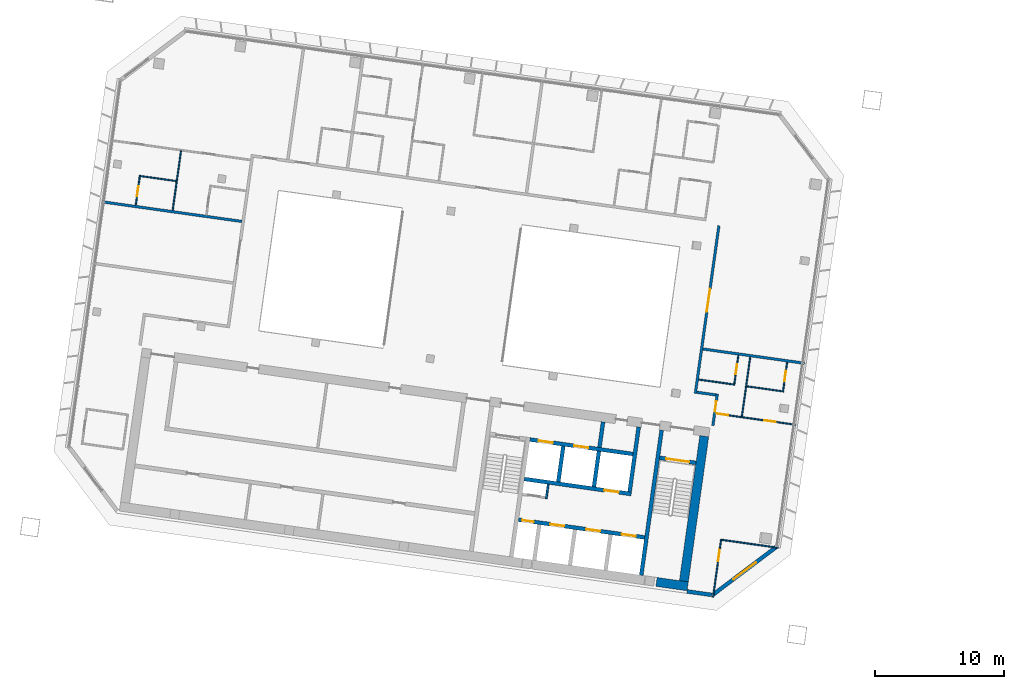
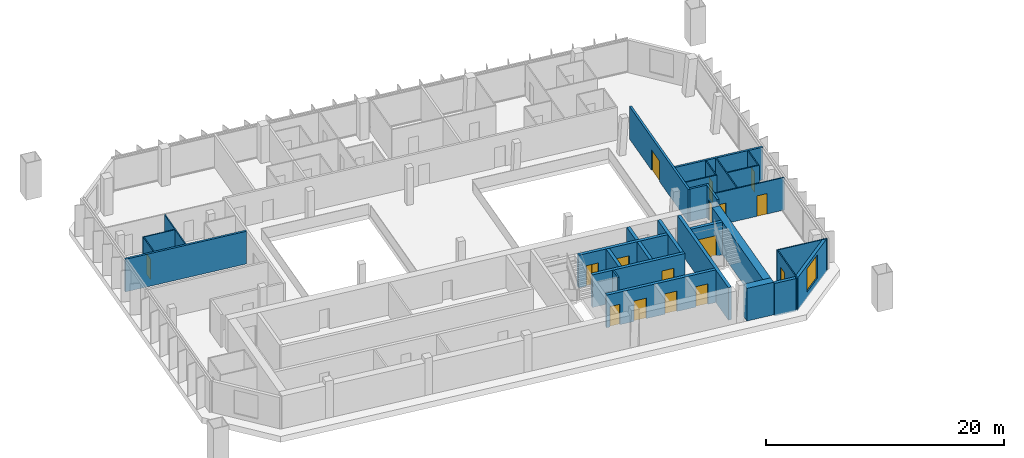
# One storey, part 14 of 22: 30 walls, 16 doors, 1 window, 17 openings.
"""IFC4 building model written with IfcOpenShell, lengths in metres."""

from ifc_helpers import new_model, si_unit, direction, frame, frame_2d, origin, place, context, subcontext, project, spatial, rectangle, extrude, material, layer, layer_set, type_object, element, fill, save


model = new_model("IFC4")

# Units and contexts
model_context = context("Model", 3, precision=1e-05, world=origin(), true_north=direction((0.0, 1.0)))
body_context = subcontext(model_context, "Body", "Model", "MODEL_VIEW")
ifc_project = project(units=[si_unit("LENGTHUNIT", "METRE"), si_unit("AREAUNIT", "SQUARE_METRE"), si_unit("VOLUMEUNIT", "CUBIC_METRE"), si_unit("PLANEANGLEUNIT", "RADIAN"), si_unit("MASSUNIT", "GRAM", prefix="KILO")], contexts=[model_context])

# Site, building, storey
site_placement = place(None, origin())
site = spatial("IfcSite", under=ifc_project, at=site_placement, CompositionType="ELEMENT")
building_placement = place(site_placement, origin())
building = spatial("IfcBuilding", under=site, at=building_placement, Name="Mirante Cascada Hotel Towers", CompositionType="ELEMENT")
storey_placement = place(building_placement, frame((0.0, 0.0, 191.6)))
storey = spatial("IfcBuildingStorey", under=building, at=storey_placement, Name="L45", CompositionType="ELEMENT", Elevation=191.6)

# Walls
ifc_material_1 = material(Name="Fire-rated plasterboard on metal studs")
ifc_layer_1 = layer(ifc_material_1, 0.2)
ifc_layer_set_1 = layer_set([ifc_layer_1], Name="Compartment wall 200 EI 120")
wall_type_1 = type_object("IfcWallType", Name="Compartment wall 200 EI 120", PredefinedType="PARTITIONING", material=ifc_layer_set_1)
wall_1_placement = place(storey_placement, frame((-36.5138, -4.518, 0.0), z_axis=(0.0, 0.0, 1.0), x_axis=(0.9902735, -0.1391343, 0.0)))
element("IfcWall", 1, at=wall_1_placement, inside=storey, type_object=wall_type_1, Name="Wall 1-L45-05", PredefinedType="PARTITIONING", context=body_context, shape_type="SweptSolid", body=[
    extrude(rectangle(XDim=1.5, YDim=0.2, at=frame_2d((0.75, 0.0))), origin(), (0.0, 0.0, 1.0), 3.35),
])
wall_2_placement = place(storey_placement, frame((-36.0406, -1.151, 0.0), z_axis=(0.0, 0.0, 1.0), x_axis=(0.9902677, -0.1391758, 0.0)))
element("IfcWall", 2, at=wall_2_placement, inside=storey, type_object=wall_type_1, Name="Wall 1-L45-09", PredefinedType="PARTITIONING", context=body_context, shape_type="SweptSolid", body=[
    extrude(rectangle(XDim=7.9691, YDim=0.2, at=frame_2d((3.9846, 0.0))), origin(), (0.0, 0.0, 1.0), 3.35),
])
wall_3_placement = place(storey_placement, frame((-82.8018, 10.3016, 0.0), z_axis=(0.0, 0.0, 1.0), x_axis=(0.990268, -0.1391733, 0.0)))
element("IfcWall", 3, at=wall_3_placement, inside=storey, type_object=wall_type_1, Name="Wall 1-L45-11", PredefinedType="PARTITIONING", context=body_context, shape_type="SweptSolid", body=[
    extrude(rectangle(XDim=11.0, YDim=0.2, at=frame_2d((5.5, 0.0))), origin(), (0.0, 0.0, 1.0), 3.35),
])

# Wall, opening, door
wall_4_placement = place(storey_placement, frame((-34.9155, -4.6416, 0.0), z_axis=(0.0, 0.0, 1.0), x_axis=(-0.1391586, -0.9902701, 0.0)))
wall_4 = element("IfcWall", 4, at=wall_4_placement, inside=storey, type_object=wall_type_1, Name="Wall 1-L45-29", PredefinedType="PARTITIONING", context=body_context, shape_type="SweptSolid", body=[
    extrude(rectangle(XDim=2.5, YDim=0.2, at=frame_2d((1.25, 0.0))), origin(), (0.0, 0.0, 1.0), 3.35),
])
opening_1_placement = place(wall_4_placement, frame((0.5833, 0.0, 0.0)))
opening_1 = element("IfcOpeningElement", 5, at=opening_1_placement, cuts=wall_4, Name="Opening D1-L45-22", PredefinedType="OPENING", context=body_context, shape_type="SweptSolid", body=[
    extrude(rectangle(XDim=0.8, YDim=2.1, at=frame_2d((0.4, 1.05))), frame((0.0, 0.1, 0.0), z_axis=(0.0, -1.0, 0.0), x_axis=(1.0, 0.0, 0.0)), (0.0, 0.0, 1.0), 0.2),
])
ifc_material_2 = material(Name="Fire-rated timber door leaf", Category="wood")
door_type_1 = type_object("IfcDoorType", Name="Bathroom door DG4 800x2100 EI 60", OperationType="SINGLE_SWING_LEFT", PredefinedType="DOOR", material=ifc_material_2)
door_1_placement = place(opening_1_placement, frame((0.8, 0.0, 0.0), z_axis=(0.0, 0.0, 1.0), x_axis=(-1.0, 0.0, 0.0)))
door_1 = element("IfcDoor", 6, at=door_1_placement, inside=storey, type_object=door_type_1, Name="Door D1-L45-22", OperationType="SINGLE_SWING_RIGHT", OverallHeight=2.1, OverallWidth=0.8, PredefinedType="DOOR", context=body_context, shape_type="SweptSolid", body=[
    extrude(rectangle(XDim=0.8, YDim=2.1, at=frame_2d((0.4, 1.05))), frame((0.0, 0.025, 0.0), z_axis=(0.0, -1.0, 0.0), x_axis=(1.0, 0.0, 0.0)), (0.0, 0.0, 1.0), 0.05),
])
fill(opening_1, door_1)

wall_5_placement = place(storey_placement, frame((-36.6268, -4.6031, 0.0), z_axis=(0.0, 0.0, 1.0), x_axis=(0.1391764, 0.9902676, 0.0)))
wall_5 = element("IfcWall", 7, at=wall_5_placement, inside=storey, type_object=wall_type_1, Name="Wall 1-L45-30", PredefinedType="PARTITIONING", context=body_context, shape_type="SweptSolid", body=[
    extrude(rectangle(XDim=13.1667, YDim=0.2, at=frame_2d((6.5834, 0.0))), origin(), (0.0, 0.0, 1.0), 3.35),
])
opening_2_placement = place(wall_5_placement, frame((6.4, 0.0, 0.0)))
opening_2 = element("IfcOpeningElement", 8, at=opening_2_placement, cuts=wall_5, Name="Opening D1-L45-23", PredefinedType="OPENING", context=body_context, shape_type="SweptSolid", body=[
    extrude(rectangle(XDim=1.8, YDim=2.1, at=frame_2d((0.9, 1.05))), frame((0.0, 0.1, 0.0), z_axis=(0.0, -1.0, 0.0), x_axis=(1.0, 0.0, 0.0)), (0.0, 0.0, 1.0), 0.2),
])
ifc_material_3 = material(Name="Fire-rated timber door leaf", Category="wood")
door_type_2 = type_object("IfcDoorType", Name="Suite double door DG2 1800x2100 EI 60", OperationType="DOUBLE_DOOR_SINGLE_SWING", PredefinedType="DOOR", material=ifc_material_3)
door_2_placement = place(opening_2_placement, origin())
door_2 = element("IfcDoor", 9, at=door_2_placement, inside=storey, type_object=door_type_2, Name="Door D1-L45-23", OperationType="DOUBLE_DOOR_SINGLE_SWING", OverallHeight=2.1, OverallWidth=1.8, PredefinedType="DOOR", context=body_context, shape_type="SweptSolid", body=[
    extrude(rectangle(XDim=0.895, YDim=2.1, at=frame_2d((0.4475, 1.05))), frame((0.0, 0.025, 0.0), z_axis=(0.0, -1.0, 0.0), x_axis=(1.0, 0.0, 0.0)), (0.0, 0.0, 1.0), 0.05),
    extrude(rectangle(XDim=0.895, YDim=2.1, at=frame_2d((1.3525, 1.05))), frame((0.0, 0.025, 0.0), z_axis=(0.0, -1.0, 0.0), x_axis=(1.0, 0.0, 0.0)), (0.0, 0.0, 1.0), 0.05),
])
fill(opening_2, door_2)

# Walls
ifc_material_4 = material(Name="Masonry block", Category="masonry")
ifc_layer_2 = layer(ifc_material_4, 0.15)
ifc_layer_set_2 = layer_set([ifc_layer_2], Name="Core room partition 150 block EI 30")
wall_type_2 = type_object("IfcWallType", Name="Core room partition 150 block EI 30", PredefinedType="PARTITIONING", material=ifc_layer_set_2)
wall_6_placement = place(storey_placement, frame((-48.2295, -12.793, 0.0), z_axis=(0.0, 0.0, 1.0), x_axis=(0.1391935, 0.9902652, 0.0)))
element("IfcWall", 10, at=wall_6_placement, inside=storey, type_object=wall_type_2, Name="Core wall partition T1 L45 2", PredefinedType="PARTITIONING", context=body_context, shape_type="SweptSolid", body=[
    extrude(rectangle(XDim=1.1251, YDim=0.15, at=frame_2d((0.5626, 0.0))), origin(), (0.0, 0.0, 1.0), 3.35),
])
ifc_material_5 = material(Name="Masonry block", Category="masonry")
ifc_layer_3 = layer(ifc_material_5, 0.3)
ifc_layer_set_3 = layer_set([ifc_layer_3], Name="Core wall 300 block EI 120")
wall_type_3 = type_object("IfcWallType", Name="Core wall 300 block EI 120", PredefinedType="PARTITIONING", material=ifc_layer_set_3)
wall_7_placement = place(storey_placement, frame((-44.0843, -8.8061, 0.0), z_axis=(0.0, 0.0, 1.0), x_axis=(0.1391951, 0.990265, 0.0)))
element("IfcWall", 11, at=wall_7_placement, inside=storey, type_object=wall_type_3, Name="Core wall partition T1 L45 1", PredefinedType="PARTITIONING", context=body_context, shape_type="SweptSolid", body=[
    extrude(rectangle(XDim=2.0001, YDim=0.3, at=frame_2d((1.0001, 0.0))), origin(), (0.0, 0.0, 1.0), 3.35),
])
ifc_material_6 = material(Name="Plasterboard on metal studs")
ifc_layer_4 = layer(ifc_material_6, 0.1)
ifc_layer_set_4 = layer_set([ifc_layer_4], Name="Partition 100")
wall_type_4 = type_object("IfcWallType", Name="Partition 100", PredefinedType="PARTITIONING", material=ifc_layer_set_4)
wall_8_placement = place(storey_placement, frame((-34.6728, -15.9858, 0.0), z_axis=(0.0, 0.0, 1.0), x_axis=(0.9902691, -0.1391656, 0.0)))
element("IfcWall", 12, at=wall_8_placement, inside=storey, type_object=wall_type_4, Name="Wall 1-L45-01", PredefinedType="PARTITIONING", context=body_context, shape_type="SweptSolid", body=[
    extrude(rectangle(XDim=4.55, YDim=0.1, at=frame_2d((2.275, 0.0))), origin(), (0.0, 0.0, 1.0), 3.35),
])

# Wall, openings, doors
wall_9_placement = place(storey_placement, frame((-28.8218, -7.0464, 0.0), z_axis=(0.0, 0.0, 1.0), x_axis=(-0.9902676, 0.1391766, 0.0)))
wall_9 = element("IfcWall", 13, at=wall_9_placement, inside=storey, type_object=wall_type_4, Name="Wall 1-L45-04", PredefinedType="PARTITIONING", context=body_context, shape_type="SweptSolid", body=[
    extrude(rectangle(XDim=6.269, YDim=0.1, at=frame_2d((3.1345, 0.0))), origin(), (0.0, 0.0, 1.0), 3.35),
])
opening_3_placement = place(wall_9_placement, frame((1.55, 0.0, 0.0)))
opening_3 = element("IfcOpeningElement", 14, at=opening_3_placement, cuts=wall_9, Name="Opening D1-L45-01", PredefinedType="OPENING", context=body_context, shape_type="SweptSolid", body=[
    extrude(rectangle(XDim=0.9, YDim=2.1, at=frame_2d((0.45, 1.05))), frame((0.0, 0.05, 0.0), z_axis=(0.0, -1.0, 0.0), x_axis=(1.0, 0.0, 0.0)), (0.0, 0.0, 1.0), 0.1),
])
opening_4_placement = place(wall_9_placement, frame((5.3018, 0.0, 0.0)))
opening_4 = element("IfcOpeningElement", 15, at=opening_4_placement, cuts=wall_9, Name="Opening D1-L45-02", PredefinedType="OPENING", context=body_context, shape_type="SweptSolid", body=[
    extrude(rectangle(XDim=0.9, YDim=2.1, at=frame_2d((0.45, 1.05))), frame((0.0, 0.05, 0.0), z_axis=(0.0, -1.0, 0.0), x_axis=(1.0, 0.0, 0.0)), (0.0, 0.0, 1.0), 0.1),
])
ifc_material_7 = material(Name="Timber door leaf", Category="wood")
door_type_3 = type_object("IfcDoorType", Name="Room door DG3 900x2100", OperationType="SINGLE_SWING_LEFT", PredefinedType="DOOR", material=ifc_material_7)
door_3_placement = place(opening_3_placement, origin())
door_3 = element("IfcDoor", 16, at=door_3_placement, inside=storey, type_object=door_type_3, Name="Door D1-L45-01", OperationType="SINGLE_SWING_LEFT", OverallHeight=2.1, OverallWidth=0.9, PredefinedType="DOOR", context=body_context, shape_type="SweptSolid", body=[
    extrude(rectangle(XDim=0.9, YDim=2.1, at=frame_2d((0.45, 1.05))), frame((0.0, 0.025, 0.0), z_axis=(0.0, -1.0, 0.0), x_axis=(1.0, 0.0, 0.0)), (0.0, 0.0, 1.0), 0.05),
])
fill(opening_3, door_3)
door_4_placement = place(opening_4_placement, origin())
door_4 = element("IfcDoor", 17, at=door_4_placement, inside=storey, type_object=door_type_3, Name="Door D1-L45-02", OperationType="SINGLE_SWING_LEFT", OverallHeight=2.1, OverallWidth=0.9, PredefinedType="DOOR", context=body_context, shape_type="SweptSolid", body=[
    extrude(rectangle(XDim=0.9, YDim=2.1, at=frame_2d((0.45, 1.05))), frame((0.0, 0.025, 0.0), z_axis=(0.0, -1.0, 0.0), x_axis=(1.0, 0.0, 0.0)), (0.0, 0.0, 1.0), 0.05),
])
fill(opening_4, door_4)

# Walls
wall_10_placement = place(storey_placement, frame((-32.627, -4.0544, 0.0), z_axis=(0.0, 0.0, 1.0), x_axis=(0.9902683, -0.1391714, 0.0)))
element("IfcWall", 18, at=wall_10_placement, inside=storey, type_object=wall_type_4, Name="Wall 1-L45-07", PredefinedType="PARTITIONING", context=body_context, shape_type="SweptSolid", body=[
    extrude(rectangle(XDim=2.9, YDim=0.1, at=frame_2d((1.45, 0.0))), origin(), (0.0, 0.0, 1.0), 3.35),
])
wall_11_placement = place(storey_placement, frame((-33.5524, -3.9243, 0.0), z_axis=(0.0, 0.0, 1.0), x_axis=(-0.9902704, 0.1391564, 0.0)))
element("IfcWall", 19, at=wall_11_placement, inside=storey, type_object=wall_type_4, Name="Wall 1-L45-08", PredefinedType="PARTITIONING", context=body_context, shape_type="SweptSolid", body=[
    extrude(rectangle(XDim=2.85, YDim=0.1, at=frame_2d((1.425, 0.0))), origin(), (0.0, 0.0, 1.0), 3.35),
])
wall_12_placement = place(storey_placement, frame((-79.8931, 12.3164, 0.0), z_axis=(0.0, 0.0, 1.0), x_axis=(0.9902683, -0.1391714, 0.0)))
element("IfcWall", 20, at=wall_12_placement, inside=storey, type_object=wall_type_4, Name="Wall 1-L45-13", PredefinedType="PARTITIONING", context=body_context, shape_type="SweptSolid", body=[
    extrude(rectangle(XDim=2.9, YDim=0.1, at=frame_2d((1.45, 0.0))), origin(), (0.0, 0.0, 1.0), 3.35),
])

# Wall, opening, door
wall_13_placement = place(storey_placement, frame((-29.4846, -2.1734, 0.0), z_axis=(0.0, 0.0, 1.0), x_axis=(-0.1391997, -0.9902643, 0.0)))
wall_13 = element("IfcWall", 21, at=wall_13_placement, inside=storey, type_object=wall_type_4, Name="Wall 1-L45-25", PredefinedType="PARTITIONING", context=body_context, shape_type="SweptSolid", body=[
    extrude(rectangle(XDim=2.25, YDim=0.1, at=frame_2d((1.125, 0.0))), origin(), (0.0, 0.0, 1.0), 3.35),
])
opening_5_placement = place(wall_13_placement, frame((0.7, 0.0, 0.0)))
opening_5 = element("IfcOpeningElement", 22, at=opening_5_placement, cuts=wall_13, Name="Opening D1-L45-19", PredefinedType="OPENING", context=body_context, shape_type="SweptSolid", body=[
    extrude(rectangle(XDim=0.8, YDim=2.1, at=frame_2d((0.4, 1.05))), frame((0.0, 0.05, 0.0), z_axis=(0.0, -1.0, 0.0), x_axis=(1.0, 0.0, 0.0)), (0.0, 0.0, 1.0), 0.1),
])
ifc_material_8 = material(Name="Timber door leaf", Category="wood")
door_type_4 = type_object("IfcDoorType", Name="Bathroom door DG4 800x2100", OperationType="SINGLE_SWING_LEFT", PredefinedType="DOOR", material=ifc_material_8)
door_5_placement = place(opening_5_placement, frame((0.8, 0.0, 0.0), z_axis=(0.0, 0.0, 1.0), x_axis=(-1.0, 0.0, 0.0)))
door_5 = element("IfcDoor", 23, at=door_5_placement, inside=storey, type_object=door_type_4, Name="Door D1-L45-19", OperationType="SINGLE_SWING_RIGHT", OverallHeight=2.1, OverallWidth=0.8, PredefinedType="DOOR", context=body_context, shape_type="SweptSolid", body=[
    extrude(rectangle(XDim=0.8, YDim=2.1, at=frame_2d((0.4, 1.05))), frame((0.0, 0.025, 0.0), z_axis=(0.0, -1.0, 0.0), x_axis=(1.0, 0.0, 0.0)), (0.0, 0.0, 1.0), 0.05),
])
fill(opening_5, door_5)

# Wall
wall_14_placement = place(storey_placement, frame((-33.0082, -6.4075, 0.0), z_axis=(0.0, 0.0, 1.0), x_axis=(0.139176, 0.9902677, 0.0)))
element("IfcWall", 24, at=wall_14_placement, inside=storey, type_object=wall_type_4, Name="Wall 1-L45-26", PredefinedType="PARTITIONING", context=body_context, shape_type="SweptSolid", body=[
    extrude(rectangle(XDim=4.6833, YDim=0.1, at=frame_2d((2.3416, 0.0))), origin(), (0.0, 0.0, 1.0), 3.35),
])

# Wall, opening, door
wall_15_placement = place(storey_placement, frame((-34.6303, -16.0422, 0.0), z_axis=(0.0, 0.0, 1.0), x_axis=(-0.1391684, -0.9902687, 0.0)))
wall_15 = element("IfcWall", 25, at=wall_15_placement, inside=storey, type_object=wall_type_4, Name="Wall 1-L45-27", PredefinedType="PARTITIONING", context=body_context, shape_type="SweptSolid", body=[
    extrude(rectangle(XDim=4.45, YDim=0.1, at=frame_2d((2.225, 0.0))), origin(), (0.0, 0.0, 1.0), 3.35),
])
opening_6_placement = place(wall_15_placement, frame((0.75, 0.0, 0.0)))
opening_6 = element("IfcOpeningElement", 26, at=opening_6_placement, cuts=wall_15, Name="Opening D1-L45-20", PredefinedType="OPENING", context=body_context, shape_type="SweptSolid", body=[
    extrude(rectangle(XDim=0.9, YDim=2.1, at=frame_2d((0.45, 1.05))), frame((0.0, 0.05, 0.0), z_axis=(0.0, -1.0, 0.0), x_axis=(1.0, 0.0, 0.0)), (0.0, 0.0, 1.0), 0.1),
])
door_6_placement = place(opening_6_placement, origin())
door_6 = element("IfcDoor", 27, at=door_6_placement, inside=storey, type_object=door_type_3, Name="Door D1-L45-20", OperationType="SINGLE_SWING_LEFT", OverallHeight=2.1, OverallWidth=0.9, PredefinedType="DOOR", context=body_context, shape_type="SweptSolid", body=[
    extrude(rectangle(XDim=0.9, YDim=2.1, at=frame_2d((0.45, 1.05))), frame((0.0, 0.025, 0.0), z_axis=(0.0, -1.0, 0.0), x_axis=(1.0, 0.0, 0.0)), (0.0, 0.0, 1.0), 0.05),
])
fill(opening_6, door_6)

wall_16_placement = place(storey_placement, frame((-33.5949, -3.8679, 0.0), z_axis=(0.0, 0.0, 1.0), x_axis=(0.1391561, 0.9902705, 0.0)))
wall_16 = element("IfcWall", 28, at=wall_16_placement, inside=storey, type_object=wall_type_4, Name="Wall 1-L45-28", PredefinedType="PARTITIONING", context=body_context, shape_type="SweptSolid", body=[
    extrude(rectangle(XDim=2.25, YDim=0.1, at=frame_2d((1.125, 0.0))), origin(), (0.0, 0.0, 1.0), 3.35),
])
opening_7_placement = place(wall_16_placement, frame((0.75, 0.0, 0.0)))
opening_7 = element("IfcOpeningElement", 29, at=opening_7_placement, cuts=wall_16, Name="Opening D1-L45-21", PredefinedType="OPENING", context=body_context, shape_type="SweptSolid", body=[
    extrude(rectangle(XDim=0.8, YDim=2.1, at=frame_2d((0.4, 1.05))), frame((0.0, 0.05, 0.0), z_axis=(0.0, -1.0, 0.0), x_axis=(1.0, 0.0, 0.0)), (0.0, 0.0, 1.0), 0.1),
])
door_7_placement = place(opening_7_placement, origin())
door_7 = element("IfcDoor", 30, at=door_7_placement, inside=storey, type_object=door_type_4, Name="Door D1-L45-21", OperationType="SINGLE_SWING_LEFT", OverallHeight=2.1, OverallWidth=0.8, PredefinedType="DOOR", context=body_context, shape_type="SweptSolid", body=[
    extrude(rectangle(XDim=0.8, YDim=2.1, at=frame_2d((0.4, 1.05))), frame((0.0, 0.025, 0.0), z_axis=(0.0, -1.0, 0.0), x_axis=(1.0, 0.0, 0.0)), (0.0, 0.0, 1.0), 0.05),
])
fill(opening_7, door_7)

# Wall
wall_17_placement = place(storey_placement, frame((-76.6401, 14.266, 0.0), z_axis=(0.0, 0.0, 1.0), x_axis=(-0.139173, -0.9902681, 0.0)))
element("IfcWall", 31, at=wall_17_placement, inside=storey, type_object=wall_type_4, Name="Wall 1-L45-49", PredefinedType="PARTITIONING", context=body_context, shape_type="SweptSolid", body=[
    extrude(rectangle(XDim=4.6834, YDim=0.1, at=frame_2d((2.3417, 0.0))), origin(), (0.0, 0.0, 1.0), 3.35),
])

# Wall, opening, door
wall_18_placement = place(storey_placement, frame((-80.1637, 10.0318, 0.0), z_axis=(0.0, 0.0, 1.0), x_axis=(0.1391997, 0.9902643, 0.0)))
wall_18 = element("IfcWall", 32, at=wall_18_placement, inside=storey, type_object=wall_type_4, Name="Wall 1-L45-52", PredefinedType="PARTITIONING", context=body_context, shape_type="SweptSolid", body=[
    extrude(rectangle(XDim=2.25, YDim=0.1, at=frame_2d((1.125, 0.0))), origin(), (0.0, 0.0, 1.0), 3.35),
])
opening_8_placement = place(wall_18_placement, frame((0.7, 0.0, 0.0)))
opening_8 = element("IfcOpeningElement", 33, at=opening_8_placement, cuts=wall_18, Name="Opening D1-L45-30", PredefinedType="OPENING", context=body_context, shape_type="SweptSolid", body=[
    extrude(rectangle(XDim=0.8, YDim=2.1, at=frame_2d((0.4, 1.05))), frame((0.0, 0.05, 0.0), z_axis=(0.0, -1.0, 0.0), x_axis=(1.0, 0.0, 0.0)), (0.0, 0.0, 1.0), 0.1),
])
door_8_placement = place(opening_8_placement, frame((0.8, 0.0, 0.0), z_axis=(0.0, 0.0, 1.0), x_axis=(-1.0, 0.0, 0.0)))
door_8 = element("IfcDoor", 34, at=door_8_placement, inside=storey, type_object=door_type_4, Name="Door D1-L45-30", OperationType="SINGLE_SWING_RIGHT", OverallHeight=2.1, OverallWidth=0.8, PredefinedType="DOOR", context=body_context, shape_type="SweptSolid", body=[
    extrude(rectangle(XDim=0.8, YDim=2.1, at=frame_2d((0.4, 1.05))), frame((0.0, 0.025, 0.0), z_axis=(0.0, -1.0, 0.0), x_axis=(1.0, 0.0, 0.0)), (0.0, 0.0, 1.0), 0.05),
])
fill(opening_8, door_8)

# Wall
ifc_material_9 = material(Name="Precast concrete C40/50", Category="concrete")
ifc_layer_5 = layer(ifc_material_9, 0.3)
ifc_layer_set_5 = layer_set([ifc_layer_5], Name="Precast concrete C40/50 cladding wall 300")
wall_type_5 = type_object("IfcWallType", Name="Precast concrete C40/50 cladding wall 300", PredefinedType="STANDARD", material=ifc_layer_set_5)
wall_19_placement = place(storey_placement, frame((-35.3517, -20.2831, 0.0), z_axis=(0.0, 0.0, 1.0), x_axis=(-0.9902668, 0.1391824, 0.0)))
element("IfcWall", 35, at=wall_19_placement, inside=storey, type_object=wall_type_5, Name="Rear cladding wall T1 L45 1", PredefinedType="STANDARD", context=body_context, shape_type="SweptSolid", body=[
    extrude(rectangle(XDim=1.9449, YDim=0.3, at=frame_2d((0.9724, 0.0))), origin(), (0.0, 0.0, 1.0), 3.35),
])

# Wall, opening, window
wall_20_placement = place(storey_placement, frame((-30.3565, -16.5739, 0.0), z_axis=(0.0, 0.0, 1.0), x_axis=(-0.7986362, -0.6018141, 0.0)))
wall_20 = element("IfcWall", 36, at=wall_20_placement, inside=storey, type_object=wall_type_5, Name="Corner cladding wall T1 L45 inner rear", PredefinedType="STANDARD", context=body_context, shape_type="SweptSolid", body=[
    extrude(rectangle(XDim=6.1157, YDim=0.3, at=frame_2d((3.0578, 0.0))), origin(), (0.0, 0.0, 1.0), 3.35),
])
opening_9_placement = place(wall_20_placement, frame((1.9578, 0.0, 0.6)))
opening_9 = element("IfcOpeningElement", 37, at=opening_9_placement, cuts=wall_20, Name="Opening W1-45-04", PredefinedType="OPENING", context=body_context, shape_type="SweptSolid", body=[
    extrude(rectangle(XDim=2.2, YDim=2.4, at=frame_2d((1.1, 1.2))), frame((0.0, 0.15, 0.0), z_axis=(0.0, -1.0, 0.0), x_axis=(1.0, 0.0, 0.0)), (0.0, 0.0, 1.0), 0.3),
])
ifc_material_10 = material(Name="Aluminium frame with clear double glazing", Category="aluminium")
window_type = type_object("IfcWindowType", Name="Corner suite window 2200x2400", PartitioningType="DOUBLE_PANEL_VERTICAL", PredefinedType="WINDOW", material=ifc_material_10)
window_placement = place(opening_9_placement, origin())
window = element("IfcWindow", 38, at=window_placement, inside=storey, type_object=window_type, Name="Window W1-45-04", OverallHeight=2.4, OverallWidth=2.2, PartitioningType="SINGLE_PANEL", PredefinedType="WINDOW", context=body_context, shape_type="SweptSolid", body=[
    extrude(rectangle(XDim=2.2, YDim=2.4, at=frame_2d((1.1, 1.2))), frame((0.0, 0.03, 0.0), z_axis=(0.0, -1.0, 0.0), x_axis=(1.0, 0.0, 0.0)), (0.0, 0.0, 1.0), 0.06),
])
fill(opening_9, window)

# Wall
ifc_material_11 = material(Name="Concrete C50/60", Category="concrete")
ifc_layer_6 = layer(ifc_material_11, 0.3)
ifc_layer_set_6 = layer_set([ifc_layer_6], Name="RC core wall 300 C50/60")
wall_type_6 = type_object("IfcWallType", Name="RC core wall 300 C50/60", PredefinedType="SHEAR", material=ifc_layer_set_6)
wall_21_placement = place(storey_placement, frame((-40.8373, -18.7548, 0.0), z_axis=(0.0, 0.0, 1.0), x_axis=(0.1391749, 0.9902678, 0.0)))
element("IfcWall", 39, at=wall_21_placement, inside=storey, type_object=wall_type_6, Name="Core wall T1:L45:5", PredefinedType="SHEAR", context=body_context, shape_type="SweptSolid", body=[
    extrude(rectangle(XDim=11.4, YDim=0.3, at=frame_2d((5.7, 0.0))), origin(), (0.0, 0.0, 1.0), 3.35),
])

# Wall, opening, door
wall_22_placement = place(storey_placement, frame((-36.5791, -10.0123, 0.0), z_axis=(0.0, 0.0, 1.0), x_axis=(-0.9902704, 0.1391564, 0.0)))
wall_22 = element("IfcWall", 40, at=wall_22_placement, inside=storey, type_object=wall_type_6, Name="Core wall T1:L45:8", PredefinedType="SHEAR", context=body_context, shape_type="SweptSolid", body=[
    extrude(rectangle(XDim=2.85, YDim=0.3, at=frame_2d((1.425, 0.0))), origin(), (0.0, 0.0, 1.0), 3.35),
])
opening_10_placement = place(wall_22_placement, frame((0.525, 0.0, 0.0)))
opening_10 = element("IfcOpeningElement", 41, at=opening_10_placement, cuts=wall_22, Name="Opening D1-45-C07", PredefinedType="OPENING", context=body_context, shape_type="SweptSolid", body=[
    extrude(rectangle(XDim=1.8, YDim=2.1, at=frame_2d((0.9, 1.05))), frame((0.0, 0.15, 0.0), z_axis=(0.0, -1.0, 0.0), x_axis=(1.0, 0.0, 0.0)), (0.0, 0.0, 1.0), 0.3),
])
ifc_material_12 = material(Name="Hollow metal fire door leaf")
door_type_5 = type_object("IfcDoorType", Name="Double fire door 1800x2100 FD60", OperationType="DOUBLE_DOOR_SINGLE_SWING", PredefinedType="DOOR", material=ifc_material_12)
door_9_placement = place(opening_10_placement, origin())
door_9 = element("IfcDoor", 42, at=door_9_placement, inside=storey, type_object=door_type_5, Name="Stair door T1 L45 7", OperationType="DOUBLE_DOOR_SINGLE_SWING", OverallHeight=2.1, OverallWidth=1.8, PredefinedType="DOOR", context=body_context, shape_type="SweptSolid", body=[
    extrude(rectangle(XDim=0.895, YDim=2.1, at=frame_2d((0.4475, 1.05))), frame((0.0, 0.025, 0.0), z_axis=(0.0, -1.0, 0.0), x_axis=(1.0, 0.0, 0.0)), (0.0, 0.0, 1.0), 0.05),
    extrude(rectangle(XDim=0.895, YDim=2.1, at=frame_2d((1.3525, 1.05))), frame((0.0, 0.025, 0.0), z_axis=(0.0, -1.0, 0.0), x_axis=(1.0, 0.0, 0.0)), (0.0, 0.0, 1.0), 0.05),
])
fill(opening_10, door_9)

# Wall, openings, doors
wall_23_placement = place(storey_placement, frame((-40.5753, -15.8126, 0.0), z_axis=(0.0, 0.0, 1.0), x_axis=(-0.9902682, 0.1391725, 0.0)))
wall_23 = element("IfcWall", 43, at=wall_23_placement, inside=storey, type_object=wall_type_6, Name="Core wall T1:L45:10", PredefinedType="SHEAR", context=body_context, shape_type="SweptSolid", body=[
    extrude(rectangle(XDim=9.8999, YDim=0.3, at=frame_2d((4.95, 0.0))), origin(), (0.0, 0.0, 1.0), 3.35),
])
opening_11_placement = place(wall_23_placement, frame((0.7, 0.0, 0.0)))
opening_11 = element("IfcOpeningElement", 44, at=opening_11_placement, cuts=wall_23, Name="Opening LD", PredefinedType="OPENING", context=body_context, shape_type="SweptSolid", body=[
    extrude(rectangle(XDim=1.1, YDim=2.1, at=frame_2d((0.55, 1.05))), frame((0.0, 0.15, 0.0), z_axis=(0.0, -1.0, 0.0), x_axis=(1.0, 0.0, 0.0)), (0.0, 0.0, 1.0), 0.3),
])
opening_12_placement = place(wall_23_placement, frame((3.5, 0.0, 0.0)))
opening_12 = element("IfcOpeningElement", 45, at=opening_12_placement, cuts=wall_23, Name="Opening LD", PredefinedType="OPENING", context=body_context, shape_type="SweptSolid", body=[
    extrude(rectangle(XDim=1.1, YDim=2.1, at=frame_2d((0.55, 1.05))), frame((0.0, 0.15, 0.0), z_axis=(0.0, -1.0, 0.0), x_axis=(1.0, 0.0, 0.0)), (0.0, 0.0, 1.0), 0.3),
])
opening_13_placement = place(wall_23_placement, frame((6.3, 0.0, 0.0)))
opening_13 = element("IfcOpeningElement", 46, at=opening_13_placement, cuts=wall_23, Name="Opening LD", PredefinedType="OPENING", context=body_context, shape_type="SweptSolid", body=[
    extrude(rectangle(XDim=1.1, YDim=2.1, at=frame_2d((0.55, 1.05))), frame((0.0, 0.15, 0.0), z_axis=(0.0, -1.0, 0.0), x_axis=(1.0, 0.0, 0.0)), (0.0, 0.0, 1.0), 0.3),
])
opening_14_placement = place(wall_23_placement, frame((8.7, 0.0, 0.0)))
opening_14 = element("IfcOpeningElement", 47, at=opening_14_placement, cuts=wall_23, Name="Opening D1-45-C14", PredefinedType="OPENING", context=body_context, shape_type="SweptSolid", body=[
    extrude(rectangle(XDim=0.9, YDim=2.1, at=frame_2d((0.45, 1.05))), frame((0.0, 0.15, 0.0), z_axis=(0.0, -1.0, 0.0), x_axis=(1.0, 0.0, 0.0)), (0.0, 0.0, 1.0), 0.3),
])
ifc_material_13 = material(Name="Hollow metal fire door leaf")
door_type_6 = type_object("IfcDoorType", Name="Fire door 900x2100 FD60", OperationType="NOTDEFINED", PredefinedType="DOOR", material=ifc_material_13)
door_10_placement = place(opening_14_placement, origin())
door_10 = element("IfcDoor", 48, at=door_10_placement, inside=storey, type_object=door_type_6, Name="Riser door T1 L45 14", OperationType="SINGLE_SWING_LEFT", OverallHeight=2.1, OverallWidth=0.9, PredefinedType="DOOR", context=body_context, shape_type="SweptSolid", body=[
    extrude(rectangle(XDim=0.9, YDim=2.1, at=frame_2d((0.45, 1.05))), frame((0.0, 0.025, 0.0), z_axis=(0.0, -1.0, 0.0), x_axis=(1.0, 0.0, 0.0)), (0.0, 0.0, 1.0), 0.05),
])
fill(opening_14, door_10)
ifc_material_14 = material(Name="Stainless steel", Category="steel")
door_type_7 = type_object("IfcDoorType", Name="Lift landing door 1100x2100 EI 120", OperationType="DOUBLE_DOOR_SLIDING", PredefinedType="DOOR", material=ifc_material_14)
door_11_placement = place(opening_11_placement, origin())
door_11 = element("IfcDoor", 49, at=door_11_placement, inside=storey, type_object=door_type_7, Name="Lift landing door HR1-1 L45", OperationType="DOUBLE_DOOR_SLIDING", OverallHeight=2.1, OverallWidth=1.1, PredefinedType="DOOR", context=body_context, shape_type="SweptSolid", body=[
    extrude(rectangle(XDim=0.545, YDim=2.1, at=frame_2d((0.2725, 1.05))), frame((0.0, 0.025, 0.0), z_axis=(0.0, -1.0, 0.0), x_axis=(1.0, 0.0, 0.0)), (0.0, 0.0, 1.0), 0.05),
    extrude(rectangle(XDim=0.545, YDim=2.1, at=frame_2d((0.8275, 1.05))), frame((0.0, 0.025, 0.0), z_axis=(0.0, -1.0, 0.0), x_axis=(1.0, 0.0, 0.0)), (0.0, 0.0, 1.0), 0.05),
])
fill(opening_11, door_11)
door_12_placement = place(opening_12_placement, origin())
door_12 = element("IfcDoor", 50, at=door_12_placement, inside=storey, type_object=door_type_7, Name="Lift landing door HR1-2 L45", OperationType="DOUBLE_DOOR_SLIDING", OverallHeight=2.1, OverallWidth=1.1, PredefinedType="DOOR", context=body_context, shape_type="SweptSolid", body=[
    extrude(rectangle(XDim=0.545, YDim=2.1, at=frame_2d((0.2725, 1.05))), frame((0.0, 0.025, 0.0), z_axis=(0.0, -1.0, 0.0), x_axis=(1.0, 0.0, 0.0)), (0.0, 0.0, 1.0), 0.05),
    extrude(rectangle(XDim=0.545, YDim=2.1, at=frame_2d((0.8275, 1.05))), frame((0.0, 0.025, 0.0), z_axis=(0.0, -1.0, 0.0), x_axis=(1.0, 0.0, 0.0)), (0.0, 0.0, 1.0), 0.05),
])
fill(opening_12, door_12)
door_13_placement = place(opening_13_placement, origin())
door_13 = element("IfcDoor", 51, at=door_13_placement, inside=storey, type_object=door_type_7, Name="Lift landing door HR1-3 L45", OperationType="DOUBLE_DOOR_SLIDING", OverallHeight=2.1, OverallWidth=1.1, PredefinedType="DOOR", context=body_context, shape_type="SweptSolid", body=[
    extrude(rectangle(XDim=0.545, YDim=2.1, at=frame_2d((0.2725, 1.05))), frame((0.0, 0.025, 0.0), z_axis=(0.0, -1.0, 0.0), x_axis=(1.0, 0.0, 0.0)), (0.0, 0.0, 1.0), 0.05),
    extrude(rectangle(XDim=0.545, YDim=2.1, at=frame_2d((0.8275, 1.05))), frame((0.0, 0.025, 0.0), z_axis=(0.0, -1.0, 0.0), x_axis=(1.0, 0.0, 0.0)), (0.0, 0.0, 1.0), 0.05),
])
fill(opening_13, door_13)

# Wall, opening, door
wall_24_placement = place(storey_placement, frame((-41.6153, -12.435, 0.0), z_axis=(0.0, 0.0, 1.0), x_axis=(-0.9902691, 0.139166, 0.0)))
wall_24 = element("IfcWall", 52, at=wall_24_placement, inside=storey, type_object=wall_type_6, Name="Core wall T1:L45:11", PredefinedType="SHEAR", context=body_context, shape_type="SweptSolid", body=[
    extrude(rectangle(XDim=8.4, YDim=0.3, at=frame_2d((4.2, 0.0))), origin(), (0.0, 0.0, 1.0), 3.35),
])
opening_15_placement = place(wall_24_placement, frame((1.0, 0.0, 0.0)))
opening_15 = element("IfcOpeningElement", 53, at=opening_15_placement, cuts=wall_24, Name="Opening LD", PredefinedType="OPENING", context=body_context, shape_type="SweptSolid", body=[
    extrude(rectangle(XDim=1.1, YDim=2.1, at=frame_2d((0.55, 1.05))), frame((0.0, 0.15, 0.0), z_axis=(0.0, -1.0, 0.0), x_axis=(1.0, 0.0, 0.0)), (0.0, 0.0, 1.0), 0.3),
])
door_14_placement = place(opening_15_placement, origin())
door_14 = element("IfcDoor", 54, at=door_14_placement, inside=storey, type_object=door_type_7, Name="Lift landing door HR1-4 L45", OperationType="DOUBLE_DOOR_SLIDING", OverallHeight=2.1, OverallWidth=1.1, PredefinedType="DOOR", context=body_context, shape_type="SweptSolid", body=[
    extrude(rectangle(XDim=0.545, YDim=2.1, at=frame_2d((0.2725, 1.05))), frame((0.0, 0.025, 0.0), z_axis=(0.0, -1.0, 0.0), x_axis=(1.0, 0.0, 0.0)), (0.0, 0.0, 1.0), 0.05),
    extrude(rectangle(XDim=0.545, YDim=2.1, at=frame_2d((0.8275, 1.05))), frame((0.0, 0.025, 0.0), z_axis=(0.0, -1.0, 0.0), x_axis=(1.0, 0.0, 0.0)), (0.0, 0.0, 1.0), 0.05),
])
fill(opening_15, door_14)

# Wall, openings, doors
wall_25_placement = place(storey_placement, frame((-41.481, -9.3234, 0.0), z_axis=(0.0, 0.0, 1.0), x_axis=(-0.9902679, 0.1391741, 0.0)))
wall_25 = element("IfcWall", 55, at=wall_25_placement, inside=storey, type_object=wall_type_6, Name="Core wall T1:L45:12", PredefinedType="SHEAR", context=body_context, shape_type="SweptSolid", body=[
    extrude(rectangle(XDim=8.0999, YDim=0.3, at=frame_2d((4.05, 0.0))), origin(), (0.0, 0.0, 1.0), 3.35),
])
opening_16_placement = place(wall_25_placement, frame((3.5, 0.0, 0.0)))
opening_16 = element("IfcOpeningElement", 56, at=opening_16_placement, cuts=wall_25, Name="Opening LD", PredefinedType="OPENING", context=body_context, shape_type="SweptSolid", body=[
    extrude(rectangle(XDim=1.1, YDim=2.1, at=frame_2d((0.55, 1.05))), frame((0.0, 0.15, 0.0), z_axis=(0.0, -1.0, 0.0), x_axis=(1.0, 0.0, 0.0)), (0.0, 0.0, 1.0), 0.3),
])
opening_17_placement = place(wall_25_placement, frame((6.3, 0.0, 0.0)))
opening_17 = element("IfcOpeningElement", 57, at=opening_17_placement, cuts=wall_25, Name="Opening LD", PredefinedType="OPENING", context=body_context, shape_type="SweptSolid", body=[
    extrude(rectangle(XDim=1.1, YDim=2.1, at=frame_2d((0.55, 1.05))), frame((0.0, 0.15, 0.0), z_axis=(0.0, -1.0, 0.0), x_axis=(1.0, 0.0, 0.0)), (0.0, 0.0, 1.0), 0.3),
])
door_15_placement = place(opening_16_placement, origin())
door_15 = element("IfcDoor", 58, at=door_15_placement, inside=storey, type_object=door_type_7, Name="Lift landing door FF1 L45", OperationType="DOUBLE_DOOR_SLIDING", OverallHeight=2.1, OverallWidth=1.1, PredefinedType="DOOR", context=body_context, shape_type="SweptSolid", body=[
    extrude(rectangle(XDim=0.545, YDim=2.1, at=frame_2d((0.2725, 1.05))), frame((0.0, 0.025, 0.0), z_axis=(0.0, -1.0, 0.0), x_axis=(1.0, 0.0, 0.0)), (0.0, 0.0, 1.0), 0.05),
    extrude(rectangle(XDim=0.545, YDim=2.1, at=frame_2d((0.8275, 1.05))), frame((0.0, 0.025, 0.0), z_axis=(0.0, -1.0, 0.0), x_axis=(1.0, 0.0, 0.0)), (0.0, 0.0, 1.0), 0.05),
])
fill(opening_16, door_15)
door_16_placement = place(opening_17_placement, origin())
door_16 = element("IfcDoor", 59, at=door_16_placement, inside=storey, type_object=door_type_7, Name="Lift landing door FF2 L45", OperationType="DOUBLE_DOOR_SLIDING", OverallHeight=2.1, OverallWidth=1.1, PredefinedType="DOOR", context=body_context, shape_type="SweptSolid", body=[
    extrude(rectangle(XDim=0.545, YDim=2.1, at=frame_2d((0.2725, 1.05))), frame((0.0, 0.025, 0.0), z_axis=(0.0, -1.0, 0.0), x_axis=(1.0, 0.0, 0.0)), (0.0, 0.0, 1.0), 0.05),
    extrude(rectangle(XDim=0.545, YDim=2.1, at=frame_2d((0.8275, 1.05))), frame((0.0, 0.025, 0.0), z_axis=(0.0, -1.0, 0.0), x_axis=(1.0, 0.0, 0.0)), (0.0, 0.0, 1.0), 0.05),
])
fill(opening_17, door_16)

# Walls
for number, where, z_axis, x_axis, name in (
    (60, (-44.5157, -11.8759, 0.0), (0.0, 0.0, 1.0), (0.139181, 0.990267, 0.0), "Core wall T1:L45:16"),
    (61, (-47.2885, -11.4862, 0.0), (0.0, 0.0, 1.0), (0.139181, 0.990267, 0.0), "Core wall T1:L45:17"),
):
    element("IfcWall", number, at=place(storey_placement, frame(where, z_axis=z_axis, x_axis=x_axis)), inside=storey, type_object=wall_type_6, Name=name, PredefinedType="SHEAR", context=body_context, shape_type="SweptSolid", body=[
        extrude(rectangle(XDim=2.8, YDim=0.3, at=frame_2d((1.4, 0.0))), origin(), (0.0, 0.0, 1.0), 3.35),
    ])
wall_26_placement = place(storey_placement, frame((-41.743, -12.2656, 0.0), z_axis=(0.0, 0.0, 1.0), x_axis=(0.1391755, 0.9902677, 0.0)))
element("IfcWall", 62, at=wall_26_placement, inside=storey, type_object=wall_type_6, Name="Core wall T1:L45:18", PredefinedType="SHEAR", context=body_context, shape_type="SweptSolid", body=[
    extrude(rectangle(XDim=5.1, YDim=0.3, at=frame_2d((2.55, 0.0))), origin(), (0.0, 0.0, 1.0), 3.35),
])
ifc_material_15 = material(Name="Concrete C50/60", Category="concrete")
ifc_layer_7 = layer(ifc_material_15, 0.7)
ifc_layer_set_7 = layer_set([ifc_layer_7], Name="RC core wall 700 C50/60")
wall_type_7 = type_object("IfcWallType", Name="RC core wall 700 C50/60", PredefinedType="SHEAR", material=ifc_layer_set_7)
wall_27_placement = place(storey_placement, frame((-37.222, -19.6163, 0.0), z_axis=(0.0, 0.0, 1.0), x_axis=(-0.9902722, 0.1391436, 0.0)))
element("IfcWall", 63, at=wall_27_placement, inside=storey, type_object=wall_type_7, Name="Core wall T1:L45:1.1", PredefinedType="SHEAR", context=body_context, shape_type="SweptSolid", body=[
    extrude(rectangle(XDim=2.4529, YDim=0.7, at=frame_2d((1.2264, 0.0))), origin(), (0.0, 0.0, 1.0), 3.35),
])
wall_28_placement = place(storey_placement, frame((-37.5199, -19.221, 0.0), z_axis=(0.0, 0.0, 1.0), x_axis=(0.1391761, 0.9902677, 0.0)))
element("IfcWall", 64, at=wall_28_placement, inside=storey, type_object=wall_type_7, Name="Core wall T1:L45:3", PredefinedType="SHEAR", context=body_context, shape_type="SweptSolid", body=[
    extrude(rectangle(XDim=11.3999, YDim=0.7, at=frame_2d((5.7, 0.0))), origin(), (0.0, 0.0, 1.0), 3.35),
])

save(model, "model.ifc")
